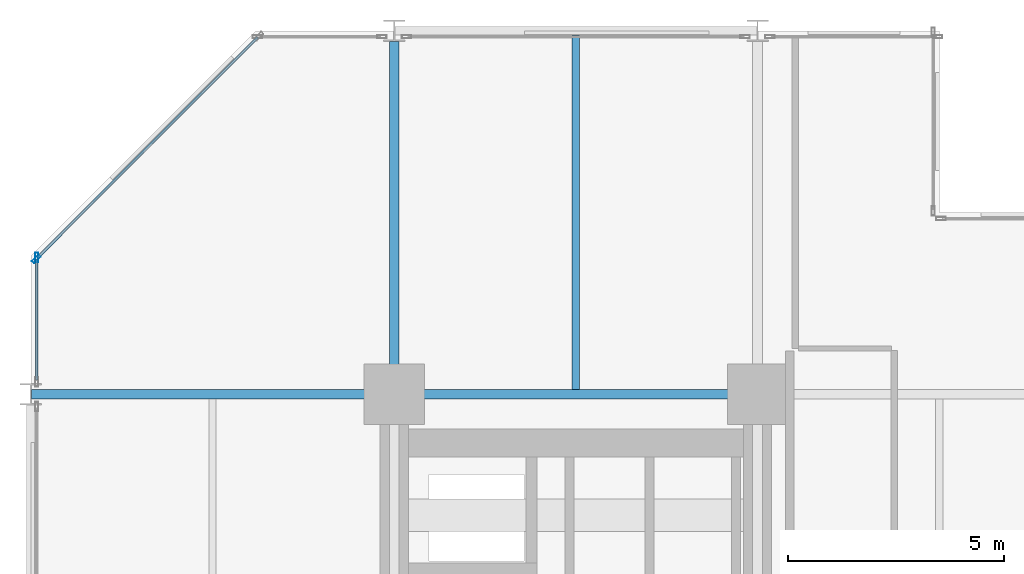
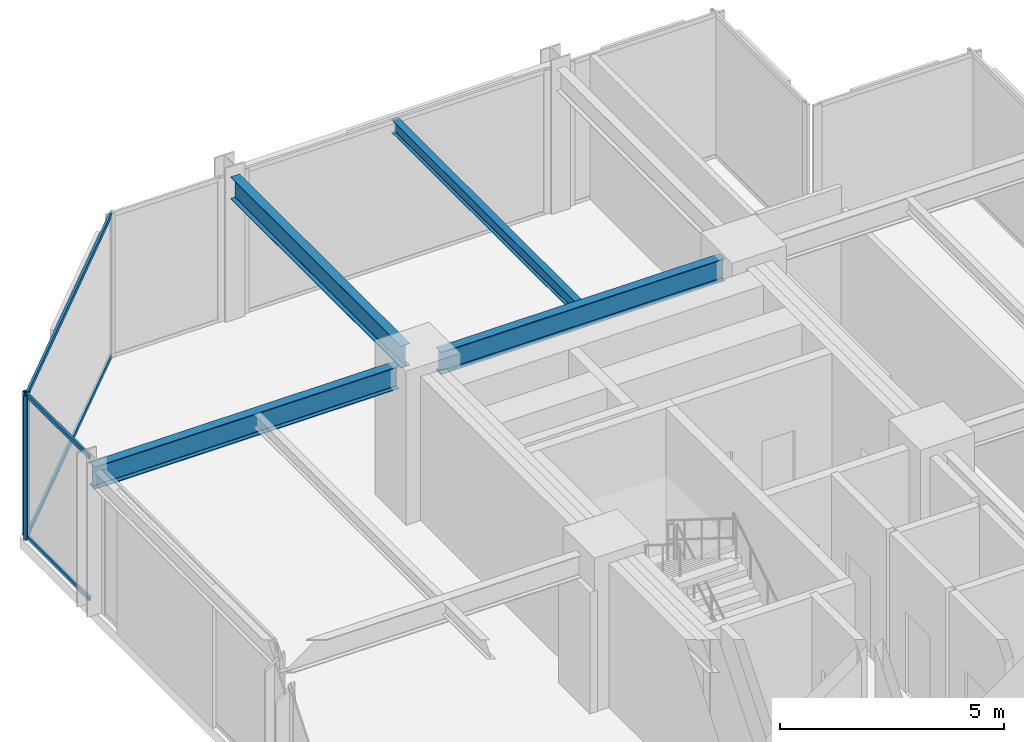
# One storey, part 15 of 24: 6 members, 4 beams, 2 elements without a shape of their own.
"""IFC4 building model written with IfcOpenShell, lengths in metres."""

from ifc_helpers import new_model, si_unit, direction, frame, origin, origin_2d, place, context, subcontext, project, spatial, hollow_rectangle, i_section, extrude, material, layer, layer_set, material_profile, profile_set, type_object, element, aggregate, save


model = new_model("IFC4")

# Units and contexts
model_context = context("Model", 3, precision=1e-05, world=origin(), true_north=direction((0.0, 1.0)))
body_context = subcontext(model_context, "Body", "Model", "MODEL_VIEW")
ifc_project = project(units=[si_unit("LENGTHUNIT", "METRE"), si_unit("AREAUNIT", "SQUARE_METRE"), si_unit("VOLUMEUNIT", "CUBIC_METRE"), si_unit("PLANEANGLEUNIT", "RADIAN"), si_unit("MASSUNIT", "GRAM", prefix="KILO")], contexts=[model_context])

# Site, building, storey
site_placement = place(None, origin())
site = spatial("IfcSite", under=ifc_project, at=site_placement, CompositionType="ELEMENT")
building_placement = place(site_placement, origin())
building = spatial("IfcBuilding", under=site, at=building_placement, Name="Nerrivon Quay Data Exchange", CompositionType="ELEMENT")
storey_placement = place(building_placement, frame((0.0, 0.0, 45.800048828125)))
storey = spatial("IfcBuildingStorey", under=building, at=storey_placement, Name="L10", CompositionType="ELEMENT", Elevation=45.800048828125)

# Beams
ifc_material_1 = material(Name="Steel Grade 350", Category="steel")
ifc_material_profile_1 = material_profile(ifc_material_1, i_section(OverallWidth=0.22900390625, OverallDepth=0.612060546875, WebThickness=0.011962890625, FlangeThickness=0.01953125, FilletRadius=0.013916015625, at=origin_2d()), Name="610UB125")
ifc_profile_set_1 = profile_set([ifc_material_profile_1], Name="Steel Grade 350")
beam_type_1 = type_object("IfcBeamType", Name="BM-G1-610UB125", PredefinedType="BEAM", material=ifc_profile_set_1)
beam_1_placement = place(storey_placement, frame((0.013916015625, 42.0, 3.618896484375), z_axis=(1.0, 0.0, 0.0), x_axis=(0.0, 1.0, 0.0)))
element("IfcBeam", 1, at=beam_1_placement, inside=storey, type_object=beam_type_1, Name="L10 EW Girder Y=42.0 (0.0..8.4)", PredefinedType="BEAM", context=body_context, shape_type="SweptSolid", body=[
    extrude(i_section(OverallWidth=0.22900390625, OverallDepth=0.612060546875, WebThickness=0.011962890625, FlangeThickness=0.01953125, FilletRadius=0.013916015625, at=origin_2d()), origin(), (0.0, 0.0, 1.0), 7.84619140625),
])
beam_2_placement = place(storey_placement, frame((8.93994140625, 42.0, 3.618896484375), z_axis=(1.0, 0.0, 0.0), x_axis=(0.0, 1.0, 0.0)))
element("IfcBeam", 2, at=beam_2_placement, inside=storey, type_object=beam_type_1, Name="L10 EW Girder Y=42.0 (8.4..16.8)", PredefinedType="BEAM", context=body_context, shape_type="SweptSolid", body=[
    extrude(i_section(OverallWidth=0.22900390625, OverallDepth=0.612060546875, WebThickness=0.011962890625, FlangeThickness=0.01953125, FilletRadius=0.013916015625, at=origin_2d()), origin(), (0.0, 0.0, 1.0), 7.320068359375),
])
ifc_material_profile_2 = material_profile(ifc_material_1, i_section(OverallWidth=0.22802734375, OverallDepth=0.60205078125, WebThickness=0.010498046875, FlangeThickness=0.014892578125, FilletRadius=0.013916015625, at=origin_2d()), Name="610UB101")
ifc_profile_set_2 = profile_set([ifc_material_profile_2], Name="Steel Grade 350")
beam_type_2 = type_object("IfcBeamType", Name="BM-G2-610UB101", PredefinedType="BEAM", material=ifc_profile_set_2)
beam_3_placement = place(storey_placement, frame((8.39990234375, 42.5400390625, 3.6240234375), z_axis=(0.0, 1.0, 0.0), x_axis=(-1.0, 0.0, 0.0)))
element("IfcBeam", 3, at=beam_3_placement, inside=storey, type_object=beam_type_2, Name="L10 NS Girder X=8.4 (42.0..50.4)", PredefinedType="BEAM", context=body_context, shape_type="SweptSolid", body=[
    extrude(i_section(OverallWidth=0.22802734375, OverallDepth=0.60205078125, WebThickness=0.010498046875, FlangeThickness=0.014892578125, FilletRadius=0.013916015625, at=origin_2d()), origin(), (0.0, 0.0, 1.0), 7.60986328125),
])
ifc_material_profile_3 = material_profile(ifc_material_1, i_section(OverallWidth=0.172119140625, OverallDepth=0.35888671875, WebThickness=0.008056640625, FlangeThickness=0.012939453125, FilletRadius=0.011474609375, at=origin_2d()), Name="360UB56.7")
ifc_profile_set_3 = profile_set([ifc_material_profile_3], Name="Steel Grade 350")
beam_type_3 = type_object("IfcBeamType", Name="BM-J3-360UB57", PredefinedType="JOIST", material=ifc_profile_set_3)
beam_4_placement = place(storey_placement, frame((12.60009765625, 42.114501953125, 3.745361328125), z_axis=(0.0, 1.0, 0.0), x_axis=(-1.0, 0.0, 0.0)))
element("IfcBeam", 4, at=beam_4_placement, inside=storey, type_object=beam_type_3, Name="L10 Secondary Joist X=12.6 (42.0..50.4)", PredefinedType="JOIST", context=body_context, shape_type="SweptSolid", body=[
    extrude(i_section(OverallWidth=0.172119140625, OverallDepth=0.35888671875, WebThickness=0.008056640625, FlangeThickness=0.012939453125, FilletRadius=0.011474609375, at=origin_2d()), origin(), (0.0, 0.0, 1.0), 8.1904296875),
])

# Curtain wall, member
ifc_material_2 = material(Name="Anodised aluminium 6063-T6", Category="aluminium")
ifc_layer = layer(ifc_material_2, 0.219970703125)
ifc_layer_set = layer_set([ifc_layer], Name="Anodised aluminium 6063-T6")
curtain_wall_type = type_object("IfcCurtainWallType", Name="CW-SYS-01", PredefinedType="NOTDEFINED", material=ifc_layer_set)
curtain_wall_1_placement = place(storey_placement, origin())
curtain_wall_1 = element("IfcCurtainWall", 5, at=curtain_wall_1_placement, inside=storey, type_object=curtain_wall_type, Name="L10 Unitised Curtain Wall 18", PredefinedType="NOTDEFINED")
ifc_material_profile_4 = material_profile(ifc_material_2, hollow_rectangle(XDim=0.074951171875, YDim=0.219970703125, WallThickness=0.00390625, at=origin_2d()), Name="ALU-MULL-220x75")
ifc_profile_set_4 = profile_set([ifc_material_profile_4], Name="Anodised aluminium 6063-T6")
member_type_1 = type_object("IfcMemberType", Name="CWM-220x75", PredefinedType="MULLION", material=ifc_profile_set_4)
member_1_placement = place(storey_placement, frame((0.139892578125, 45.16259765625, 0.0), z_axis=(0.0, 0.0, 1.0), x_axis=(-1.0, 0.0, 0.0)))
member_1 = element("IfcMember", 6, at=member_1_placement, type_object=member_type_1, Name="CW01 mullion 2", PredefinedType="MULLION", context=body_context, shape_type="SweptSolid", body=[
    extrude(hollow_rectangle(XDim=0.074951171875, YDim=0.219970703125, WallThickness=0.00390625, at=origin_2d()), origin(), (0.0, 0.0, 1.0), 3.925048828125),
])

curtain_wall_2_placement = place(storey_placement, origin())
curtain_wall_2 = element("IfcCurtainWall", 7, at=curtain_wall_2_placement, inside=storey, type_object=curtain_wall_type, Name="L10 Unitised Curtain Wall 19", PredefinedType="NOTDEFINED")
member_2_placement = place(storey_placement, frame((0.12548828125, 45.12744140625, 0.0), z_axis=(0.0, 0.0, 1.0), x_axis=(-0.707106781187, 0.707106781187, 0.0)))
member_2 = element("IfcMember", 8, at=member_2_placement, type_object=member_type_1, Name="CW01 mullion 1", PredefinedType="MULLION", context=body_context, shape_type="SweptSolid", body=[
    extrude(hollow_rectangle(XDim=0.074951171875, YDim=0.219970703125, WallThickness=0.00390625, at=origin_2d()), origin(), (0.0, 0.0, 1.0), 3.925048828125),
])

# Member
ifc_material_profile_5 = material_profile(ifc_material_2, hollow_rectangle(XDim=0.06005859375, YDim=0.1201171875, WallThickness=0.003173828125, at=origin_2d()), Name="ALU-TRAN-120x60")
ifc_profile_set_5 = profile_set([ifc_material_profile_5], Name="Anodised aluminium 6063-T6")
member_type_2 = type_object("IfcMemberType", Name="CWT-120x60", PredefinedType="USERDEFINED", material=ifc_profile_set_5)
member_3_placement = place(storey_placement, frame((0.139892578125, 42.324951171875, 0.032470703125), z_axis=(0.0, 1.0, 0.0), x_axis=(-1.0, 0.0, 0.0)))
member_3 = element("IfcMember", 9, at=member_3_placement, type_object=member_type_2, Name="CW01 transom 1.1", ObjectType="TRANSOM", PredefinedType="USERDEFINED", context=body_context, shape_type="SweptSolid", body=[
    extrude(hollow_rectangle(XDim=0.06005859375, YDim=0.1201171875, WallThickness=0.003173828125, at=origin_2d()), origin(), (0.0, 0.0, 1.0), 2.800048828125),
])

member_4_placement = place(storey_placement, frame((0.139892578125, 42.324951171875, 3.892333984375), z_axis=(0.0, 1.0, 0.0), x_axis=(-1.0, 0.0, 0.0)))
member_4 = element("IfcMember", 10, at=member_4_placement, type_object=member_type_2, Name="CW01 transom 1.2", ObjectType="TRANSOM", PredefinedType="USERDEFINED", context=body_context, shape_type="SweptSolid", body=[
    extrude(hollow_rectangle(XDim=0.06005859375, YDim=0.1201171875, WallThickness=0.003173828125, at=origin_2d()), origin(), (0.0, 0.0, 1.0), 2.800048828125),
])

aggregate(curtain_wall_1, [member_1, member_3, member_4])

member_5_placement = place(storey_placement, frame((0.152099609375, 45.154052734375, 0.032470703125), z_axis=(0.707089835771, 0.707123726196, 0.0), x_axis=(-0.707123726196, 0.707089835771, 0.0)))
member_5 = element("IfcMember", 11, at=member_5_placement, type_object=member_type_2, Name="CW01 transom 1.1", ObjectType="TRANSOM", PredefinedType="USERDEFINED", context=body_context, shape_type="SweptSolid", body=[
    extrude(hollow_rectangle(XDim=0.06005859375, YDim=0.1201171875, WallThickness=0.003173828125, at=origin_2d()), origin(), (0.0, 0.0, 1.0), 7.203857421875),
])

member_6_placement = place(storey_placement, frame((0.152099609375, 45.154052734375, 3.892333984375), z_axis=(0.707089835771, 0.707123726196, 0.0), x_axis=(-0.707123726196, 0.707089835771, 0.0)))
member_6 = element("IfcMember", 12, at=member_6_placement, type_object=member_type_2, Name="CW01 transom 1.2", ObjectType="TRANSOM", PredefinedType="USERDEFINED", context=body_context, shape_type="SweptSolid", body=[
    extrude(hollow_rectangle(XDim=0.06005859375, YDim=0.1201171875, WallThickness=0.003173828125, at=origin_2d()), origin(), (0.0, 0.0, 1.0), 7.203857421875),
])

aggregate(curtain_wall_2, [member_2, member_5, member_6])

save(model, "model.ifc")
